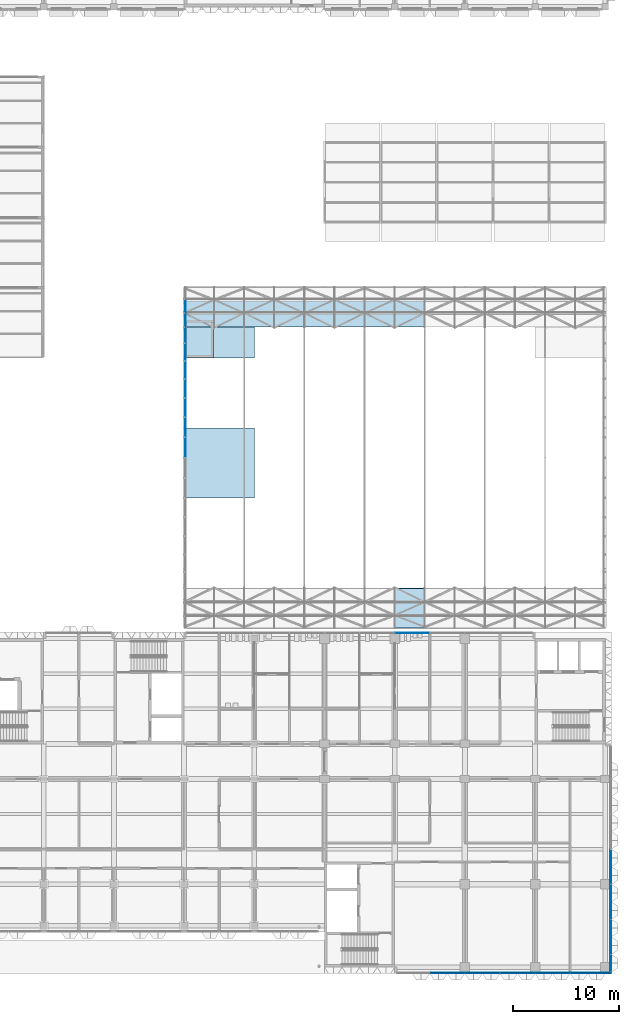
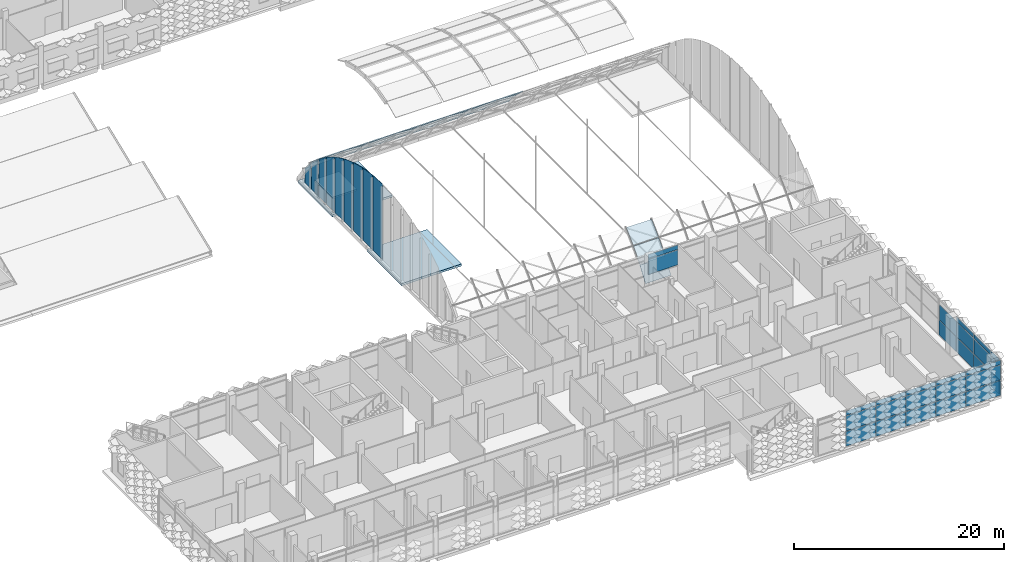
# One storey, part 44 of 109: 56 plates, 3 slabs, 3 elements without a shape of their own.
"""IFC4 building model written with IfcOpenShell, lengths in metres."""

import ifcopenshell
import ifcopenshell.guid

model = None  # the IFC model being written
_history = None  # IfcOwnerHistory: only IFC2X3 demands one
_inside = {}  # id of a spatial element -> (the spatial element, [elements in it])
_under = {}  # id of a project, library or spatial element -> (it, [spatial elements below it])
_declared = {}  # id of a project -> (the project, [libraries it declares])
_typed = {}  # id of a type object -> (the type object, [elements of that type])
_made_of = {}  # id of a material, layer set ... -> (it, [elements and type objects made of it])


def new_model(schema):
    """Start an empty IFC model of exactly this schema.

    Asked for "IFC4X3", IfcOpenShell would pick the latest addendum, in which some entities
    have other attributes; the version numbers below select the first issue.
    IFC2X3 requires an IfcOwnerHistory on every rooted entity: one is made here for all.
    """
    global model, _history
    if schema == "IFC4X3":
        model = ifcopenshell.file(schema_version=(4, 3, 0, 0))
    else:
        model = ifcopenshell.file(schema=schema)
    _inside.clear()
    _under.clear()
    _declared.clear()
    _typed.clear()
    _made_of.clear()
    _history = None
    if model.schema == "IFC2X3":
        org = make("IfcOrganization", Name="unknown")
        user = make(
            "IfcPersonAndOrganization",
            ThePerson=make("IfcPerson", FamilyName="unknown"),
            TheOrganization=org,
        )
        app = make(
            "IfcApplication",
            ApplicationDeveloper=org,
            Version="unknown",
            ApplicationFullName="unknown",
            ApplicationIdentifier="unknown",
        )
        _history = make(
            "IfcOwnerHistory",
            OwningUser=user,
            OwningApplication=app,
            ChangeAction="ADDED",
            CreationDate=0,
        )
    return model


def make(cls, **values):
    """One entity of the class cls with the attributes given. An attribute that is None is left unset."""
    return model.create_entity(
        cls, **{name: value for name, value in values.items() if value is not None}
    )


def rooted(cls, **values):
    """An entity with a GlobalId (a new one), such as an element, a storey or a relation."""
    return make(cls, GlobalId=ifcopenshell.guid.new(), OwnerHistory=_history, **values)


def si_unit(unit_type, name, prefix=None):
    """IfcSIUnit, for example si_unit("LENGTHUNIT", "METRE", prefix="MILLI")."""
    return make("IfcSIUnit", UnitType=unit_type, Prefix=prefix, Name=name)


def assignment(units):
    """IfcUnitAssignment: the units of a project."""
    return None if units is None else make("IfcUnitAssignment", Units=units)


def point(xyz):
    """IfcCartesianPoint."""
    return None if xyz is None else make("IfcCartesianPoint", Coordinates=xyz)


def direction(xyz):
    """IfcDirection."""
    return None if xyz is None else make("IfcDirection", DirectionRatios=xyz)


def frame(location, z_axis=None, x_axis=None):
    """IfcAxis2Placement3D, a coordinate frame: its origin and axes. An axis left out is left unset."""
    return make(
        "IfcAxis2Placement3D",
        Location=point(location),
        Axis=direction(z_axis),
        RefDirection=direction(x_axis),
    )


def frame_2d(location, x_axis=None):
    """IfcAxis2Placement2D, a coordinate frame in the plane: its origin and x axis."""
    return make(
        "IfcAxis2Placement2D", Location=point(location), RefDirection=direction(x_axis)
    )


def origin():
    """The frame at (0, 0, 0) with its axes left unset."""
    return frame((0.0, 0.0, 0.0))


def origin_2d():
    """The frame at (0, 0) in the plane with its x axis left unset."""
    return frame_2d((0.0, 0.0))


def place(relative_to, where):
    """IfcLocalPlacement: puts the frame where relative to a parent placement (None: the world)."""
    return make(
        "IfcLocalPlacement", PlacementRelTo=relative_to, RelativePlacement=where
    )


def context(
    kind, dimensions, precision=None, world=None, true_north=None, identifier=None
):
    """IfcGeometricRepresentationContext, for example the 3D "Model" context."""
    return make(
        "IfcGeometricRepresentationContext",
        ContextIdentifier=identifier,
        ContextType=kind,
        CoordinateSpaceDimension=dimensions,
        Precision=precision,
        WorldCoordinateSystem=world,
        TrueNorth=true_north,
    )


def subcontext(parent, identifier, kind, view, scale=None):
    """IfcGeometricRepresentationSubContext, for example "Body" below "Model"."""
    return make(
        "IfcGeometricRepresentationSubContext",
        ContextIdentifier=identifier,
        ContextType=kind,
        ParentContext=parent,
        TargetScale=scale,
        TargetView=view,
    )


def project(units=None, contexts=None):
    """IfcProject with its units and contexts."""
    return rooted(
        "IfcProject",
        Name="project",
        RepresentationContexts=contexts,
        UnitsInContext=assignment(units),
    )


def spatial(cls, under=None, at=None, **own):
    """A site, building, storey or space (cls), placed at a placement, below another one or the project."""
    s = rooted(cls, ObjectPlacement=at, **own)
    if under is not None:
        _under.setdefault(under.id(), (under, []))[1].append(s)
    return s


def polyline(points):
    """IfcPolyline through the points."""
    return make("IfcPolyline", Points=[point(p) for p in points])


def profile(cls, at=None, kind="AREA", **sizes):
    """A parametric profile (cls). Its sizes go by their IFC names, for example OverallWidth=200.0."""
    return make(cls, ProfileType=kind, Position=at, **sizes)


def rectangle(**sizes):
    """IfcRectangleProfileDef."""
    return profile("IfcRectangleProfileDef", **sizes)


def outline(outer, holes=None, kind="AREA"):
    """IfcArbitraryClosedProfileDef: a profile drawn as a closed curve; with holes, ...WithVoids."""
    if holes is None:
        return make("IfcArbitraryClosedProfileDef", ProfileType=kind, OuterCurve=outer)
    return make(
        "IfcArbitraryProfileDefWithVoids",
        ProfileType=kind,
        OuterCurve=outer,
        InnerCurves=holes,
    )


def extrude(swept, where, along, depth):
    """IfcExtrudedAreaSolid: the profile swept, set in the frame where, extruded along a direction by depth."""
    return make(
        "IfcExtrudedAreaSolid",
        SweptArea=swept,
        Position=where,
        ExtrudedDirection=direction(along),
        Depth=depth,
    )


def shape(context_of_items, identifier, shape_type, items):
    """IfcShapeRepresentation: the items that make up one representation, for example the "Body"."""
    return make(
        "IfcShapeRepresentation",
        ContextOfItems=context_of_items,
        RepresentationIdentifier=identifier,
        RepresentationType=shape_type,
        Items=items,
    )


def material(Name=None, Category=None):
    """IfcMaterial."""
    return make("IfcMaterial", Name=Name, Category=Category)


def layer(
    of_material, thickness, ventilated=None, Name=None, Category=None, Priority=None
):
    """IfcMaterialLayer: one layer of a wall or slab, of a material (None: an air gap)."""
    return make(
        "IfcMaterialLayer",
        Material=of_material,
        LayerThickness=thickness,
        IsVentilated=ventilated,
        Name=Name,
        Category=Category,
        Priority=Priority,
    )


def layer_set(layers, Name=None):
    """IfcMaterialLayerSet."""
    return make("IfcMaterialLayerSet", MaterialLayers=layers, LayerSetName=Name)


def made_of(thing, what):
    """Note that an element or type object is made of a material, layer set ...; save() writes the relation."""
    if what is not None:
        _made_of.setdefault(what.id(), (what, []))[1].append(thing)
    return thing


def type_object(cls, material=None, **own):
    """A type object (cls), such as IfcWallType, which elements share."""
    return made_of(rooted(cls, **own), material)


def element(
    cls,
    number,
    at=None,
    inside=None,
    cuts=None,
    type_object=None,
    material=None,
    context=None,
    identifier="Body",
    shape_type=None,
    held_by="IfcProductDefinitionShape",
    body=None,
    shapes=None,
    **own,
):
    """One element of the class cls, such as IfcWall. Its Tag is "e" and its number.

    at: its placement. inside: the storey or other place that contains it. cuts: it is an
    opening in that element (IfcRelVoidsElement). A single representation is given by context,
    identifier, shape_type and body (its items); several are given by shapes. held_by: the class
    of the entity that holds the representations. save() writes the other relations.
    """
    e = rooted(cls, Tag="e%d" % number, ObjectPlacement=at, **own)
    if body is not None:
        shapes = [shape(context, identifier, shape_type, body)]
    if shapes is not None:
        e.Representation = make(held_by, Representations=shapes)
    if inside is not None:
        _inside.setdefault(inside.id(), (inside, []))[1].append(e)
    if cuts is not None:
        rooted(
            "IfcRelVoidsElement", RelatingBuildingElement=cuts, RelatedOpeningElement=e
        )
    if type_object is not None:
        _typed.setdefault(type_object.id(), (type_object, []))[1].append(e)
    return made_of(e, material)


def aggregate(whole, parts):
    """IfcRelAggregates: a whole, such as a stair, and the parts it consists of."""
    return rooted("IfcRelAggregates", RelatingObject=whole, RelatedObjects=parts)


def save(model, path):
    """Write the relations noted so far, then the file.

    IfcRelAggregates (storeys below a building ...), IfcRelContainedInSpatialStructure (elements
    in a storey), IfcRelDefinesByType, IfcRelAssociatesMaterial and IfcRelDeclares: one each for
    every whole, place, type object, material and project.
    """
    for whole, parts in _under.values():
        aggregate(whole, parts)
    for where, things in _inside.values():
        rooted(
            "IfcRelContainedInSpatialStructure",
            RelatedElements=things,
            RelatingStructure=where,
        )
    for kind, things in _typed.values():
        rooted("IfcRelDefinesByType", RelatedObjects=things, RelatingType=kind)
    for what, things in _made_of.values():
        rooted("IfcRelAssociatesMaterial", RelatedObjects=things, RelatingMaterial=what)
    for by, libraries in _declared.values():
        rooted("IfcRelDeclares", RelatingContext=by, RelatedDefinitions=libraries)
    model.write(path)


model = new_model("IFC4")

# Units and contexts
model_context = context("Model", 3, precision=1e-05, world=origin(), true_north=direction((0.0, 1.0)))
body_context = subcontext(model_context, "Body", "Model", "MODEL_VIEW")
ifc_project = project(units=[si_unit("LENGTHUNIT", "METRE"), si_unit("AREAUNIT", "SQUARE_METRE"), si_unit("VOLUMEUNIT", "CUBIC_METRE"), si_unit("PLANEANGLEUNIT", "RADIAN"), si_unit("MASSUNIT", "GRAM", prefix="KILO")], contexts=[model_context])

# Site, building, storey
site_placement = place(None, origin())
site = spatial("IfcSite", under=ifc_project, at=site_placement, CompositionType="ELEMENT")
building_placement = place(site_placement, origin())
building = spatial("IfcBuilding", under=site, at=building_placement, Name="Lantern Court Research Institute", CompositionType="ELEMENT")
storey_placement = place(building_placement, frame((0.0, 0.0, 14.39990234375)))
storey = spatial("IfcBuildingStorey", under=building, at=storey_placement, Name="L03", CompositionType="ELEMENT", Elevation=14.39990234375)

# Plates
ifc_material_1 = material(Name="Laminated low-emissivity glass", Category="glass")
ifc_layer_1 = layer(ifc_material_1, 0.035888671875)
ifc_layer_set_1 = layer_set([ifc_layer_1], Name="Laminated low-emissivity glass")
plate_type_1 = type_object("IfcPlateType", Name="Gable glazing panel 36", PredefinedType="SHEET", material=ifc_layer_set_1)
plate_1_placement = place(storey_placement, frame((39.742919921875, 40.18505859375, 0.400146484375), z_axis=(0.0, 0.0, 1.0), x_axis=(0.0, 1.0, 0.0)))
element("IfcPlate", 1, at=plate_1_placement, inside=storey, type_object=plate_type_1, Name="Gable glazing panel", PredefinedType="SHEET", context=body_context, shape_type="SweptSolid", body=[
    extrude(outline(polyline([(0.0, 0.0), (1.780029296875, 0.0), (1.780029296875, 8.707275390625), (0.0, 8.796875), (0.0, 0.0)])), frame((0.0, 0.01806640625, 0.0), z_axis=(0.0, -1.0, 0.0), x_axis=(1.0, 0.0, 0.0)), (0.0, 0.0, 1.0), 0.035888671875),
])
plate_2_placement = place(storey_placement, frame((39.742919921875, 42.0849609375, 0.400146484375), z_axis=(0.0, 0.0, 1.0), x_axis=(0.0, 1.0, 0.0)))
element("IfcPlate", 2, at=plate_2_placement, inside=storey, type_object=plate_type_1, Name="Gable glazing panel", PredefinedType="SHEET", context=body_context, shape_type="SweptSolid", body=[
    extrude(outline(polyline([(0.0, 0.0), (1.7607421875, 0.0), (1.7607421875, 8.427001953125), (0.0, 8.695068359375), (0.0, 0.0)])), frame((0.0, 0.01806640625, 0.0), z_axis=(0.0, -1.0, 0.0), x_axis=(1.0, 0.0, 0.0)), (0.0, 0.0, 1.0), 0.035888671875),
])
plate_3_placement = place(storey_placement, frame((39.742919921875, 43.9658203125, 0.400146484375), z_axis=(0.0, 0.0, 1.0), x_axis=(0.0, 1.0, 0.0)))
element("IfcPlate", 3, at=plate_3_placement, inside=storey, type_object=plate_type_1, Name="Gable glazing panel", PredefinedType="SHEET", context=body_context, shape_type="SweptSolid", body=[
    extrude(outline(polyline([(0.0, 0.0), (1.722412109375, 0.0), (1.722412109375, 7.95947265625), (0.0, 8.402587890625), (0.0, 0.0)])), frame((0.0, 0.01806640625, 0.0), z_axis=(0.0, -1.0, 0.0), x_axis=(1.0, 0.0, 0.0)), (0.0, 0.0, 1.0), 0.035888671875),
])
plate_4_placement = place(storey_placement, frame((39.742919921875, 45.808349609375, 0.400146484375), z_axis=(0.0, 0.0, 1.0), x_axis=(0.0, 1.0, 0.0)))
element("IfcPlate", 4, at=plate_4_placement, inside=storey, type_object=plate_type_1, Name="Gable glazing panel", PredefinedType="SHEET", context=body_context, shape_type="SweptSolid", body=[
    extrude(outline(polyline([(0.0, 0.0), (1.66552734375, 0.0), (1.66552734375, 7.309326171875), (0.0, 7.921875), (0.0, 0.0)])), frame((0.0, 0.01806640625, 0.0), z_axis=(0.0, -1.0, 0.0), x_axis=(1.0, 0.0, 0.0)), (0.0, 0.0, 1.0), 0.035888671875),
])
plate_5_placement = place(storey_placement, frame((39.742919921875, 47.59375, 0.400146484375), z_axis=(0.0, 0.0, 1.0), x_axis=(0.0, 1.0, 0.0)))
element("IfcPlate", 5, at=plate_5_placement, inside=storey, type_object=plate_type_1, Name="Gable glazing panel", PredefinedType="SHEET", context=body_context, shape_type="SweptSolid", body=[
    extrude(outline(polyline([(0.0, 0.0), (1.590576171875, 0.0), (1.59033203125, 6.483642578125), (0.0, 7.258056640625), (0.0, 0.0)])), frame((0.0, 0.01806640625, 0.0), z_axis=(0.0, -1.0, 0.0), x_axis=(1.0, 0.0, 0.0)), (0.0, 0.0, 1.0), 0.035888671875),
])
plate_6_placement = place(storey_placement, frame((39.742919921875, 49.30419921875, 0.400146484375), z_axis=(0.0, 0.0, 1.0), x_axis=(0.0, 1.0, 0.0)))
element("IfcPlate", 6, at=plate_6_placement, inside=storey, type_object=plate_type_1, Name="Gable glazing panel", PredefinedType="SHEET", context=body_context, shape_type="SweptSolid", body=[
    extrude(outline(polyline([(0.0, 0.0), (1.498046875, 0.0), (1.498046875, 5.490966796875), (0.0, 6.417236328125), (0.0, 0.0)])), frame((0.0, 0.01806640625, 0.0), z_axis=(0.0, -1.0, 0.0), x_axis=(1.0, 0.0, 0.0)), (0.0, 0.0, 1.0), 0.035888671875),
])
plate_7_placement = place(storey_placement, frame((39.742919921875, 50.92236328125, 0.400146484375), z_axis=(0.0, 0.0, 1.0), x_axis=(0.0, 1.0, 0.0)))
element("IfcPlate", 7, at=plate_7_placement, inside=storey, type_object=plate_type_1, Name="Gable glazing panel", PredefinedType="SHEET", context=body_context, shape_type="SweptSolid", body=[
    extrude(outline(polyline([(0.0, 0.0), (1.38916015625, 0.0), (1.38916015625, 4.341552734375), (0.0, 5.40771484375), (0.0, 0.0)])), frame((0.0, 0.01806640625, 0.0), z_axis=(0.0, -1.0, 0.0), x_axis=(1.0, 0.0, 0.0)), (0.0, 0.0, 1.0), 0.035888671875),
])
plate_8_placement = place(storey_placement, frame((39.742919921875, 52.431396484375, 0.400146484375), z_axis=(0.0, 0.0, 1.0), x_axis=(0.0, 1.0, 0.0)))
element("IfcPlate", 8, at=plate_8_placement, inside=storey, type_object=plate_type_1, Name="Gable glazing panel", PredefinedType="SHEET", context=body_context, shape_type="SweptSolid", body=[
    extrude(outline(polyline([(0.0, 0.0), (1.265380859375, 0.0), (1.26513671875, 3.0478515625), (0.0, 4.239013671875), (0.0, 0.0)])), frame((0.0, 0.01806640625, 0.0), z_axis=(0.0, -1.0, 0.0), x_axis=(1.0, 0.0, 0.0)), (0.0, 0.0, 1.0), 0.035888671875),
])
plate_9_placement = place(storey_placement, frame((39.742919921875, 53.816650390625, 0.400146484375), z_axis=(0.0, 0.0, 1.0), x_axis=(0.0, 1.0, 0.0)))
element("IfcPlate", 9, at=plate_9_placement, inside=storey, type_object=plate_type_1, Name="Gable glazing panel", PredefinedType="SHEET", context=body_context, shape_type="SweptSolid", body=[
    extrude(outline(polyline([(0.0, 0.0), (1.126953125, 0.0), (1.126953125, 1.623779296875), (0.0, 2.92236328125), (0.0, 0.0)])), frame((0.0, 0.01806640625, 0.0), z_axis=(0.0, -1.0, 0.0), x_axis=(1.0, 0.0, 0.0)), (0.0, 0.0, 1.0), 0.035888671875),
])
ifc_material_2 = material(Name="Laminated low-emissivity glass", Category="glass")
ifc_layer_2 = layer(ifc_material_2, 0.052001953125)
ifc_layer_set_2 = layer_set([ifc_layer_2], Name="Laminated low-emissivity glass")
plate_type_2 = type_object("IfcPlateType", Name="Gridshell roof glazing panel 52", PredefinedType="SHEET", material=ifc_layer_set_2)
plate_10_placement = place(storey_placement, frame((42.41845703125, 52.417236328125, 4.72412109375), z_axis=(0.0, 0.685494672297, 0.728077643011), x_axis=(-1.0, 0.0, 0.0)))
element("IfcPlate", 10, at=plate_10_placement, inside=storey, type_object=plate_type_2, Name="Roof glazing panel", PredefinedType="SHEET", context=body_context, shape_type="SweptSolid", body=[
    extrude(outline(polyline([(0.0, 0.0), (2.808349609375, 0.0), (2.808349609375, -1.8747866350209508), (0.0, -1.8747866350209508), (0.0, 0.0)])), origin(), (0.0, 0.0, -1.0), 0.052001953125),
])
plate_11_placement = place(storey_placement, frame((42.41845703125, 53.805908203125, 3.414306640625), z_axis=(0.0, 0.755228474441, 0.655461632281), x_axis=(-1.0, 0.0, 0.0)))
element("IfcPlate", 11, at=plate_11_placement, inside=storey, type_object=plate_type_2, Name="Roof glazing panel", PredefinedType="SHEET", context=body_context, shape_type="SweptSolid", body=[
    extrude(outline(polyline([(0.0, 0.0), (2.808349609375, 0.0), (2.808349609375, -1.8720405906582398), (0.0, -1.8720405906582398), (0.0, 0.0)])), origin(), (0.0, 0.0, -1.0), 0.052001953125),
])
plate_12_placement = place(storey_placement, frame((45.2470703125, 52.417236328125, 4.72412109375), z_axis=(0.0, 0.685494672297, 0.728077643011), x_axis=(-1.0, 0.0, 0.0)))
element("IfcPlate", 12, at=plate_12_placement, inside=storey, type_object=plate_type_2, Name="Roof glazing panel", PredefinedType="SHEET", context=body_context, shape_type="SweptSolid", body=[
    extrude(outline(polyline([(0.0, 0.0), (2.80859375, 0.0), (2.80859375, -1.874786635020951), (0.0, -1.874786635020951), (0.0, 0.0)])), origin(), (0.0, 0.0, -1.0), 0.052001953125),
])
plate_13_placement = place(storey_placement, frame((45.2470703125, 53.805908203125, 3.414306640625), z_axis=(0.0, 0.755228474441, 0.655461632281), x_axis=(-1.0, 0.0, 0.0)))
element("IfcPlate", 13, at=plate_13_placement, inside=storey, type_object=plate_type_2, Name="Roof glazing panel", PredefinedType="SHEET", context=body_context, shape_type="SweptSolid", body=[
    extrude(outline(polyline([(0.0, 0.0), (2.80859375, 0.0), (2.80859375, -1.8720405906582398), (0.0, -1.8720405906582398), (0.0, 0.0)])), origin(), (0.0, 0.0, -1.0), 0.052001953125),
])
plate_14_placement = place(storey_placement, frame((48.07568359375, 52.417236328125, 4.72412109375), z_axis=(0.0, 0.685494672297, 0.728077643011), x_axis=(-1.0, 0.0, 0.0)))
element("IfcPlate", 14, at=plate_14_placement, inside=storey, type_object=plate_type_2, Name="Roof glazing panel", PredefinedType="SHEET", context=body_context, shape_type="SweptSolid", body=[
    extrude(outline(polyline([(0.0, 0.0), (2.80859375, 0.0), (2.80859375, -1.874786635020951), (0.0, -1.874786635020951), (0.0, 0.0)])), origin(), (0.0, 0.0, -1.0), 0.052001953125),
])
plate_15_placement = place(storey_placement, frame((48.07568359375, 53.805908203125, 3.414306640625), z_axis=(0.0, 0.755228474441, 0.655461632281), x_axis=(-1.0, 0.0, 0.0)))
element("IfcPlate", 15, at=plate_15_placement, inside=storey, type_object=plate_type_2, Name="Roof glazing panel", PredefinedType="SHEET", context=body_context, shape_type="SweptSolid", body=[
    extrude(outline(polyline([(0.0, 0.0), (2.80859375, 0.0), (2.80859375, -1.8720405906582398), (0.0, -1.8720405906582398), (0.0, 0.0)])), origin(), (0.0, 0.0, -1.0), 0.052001953125),
])
plate_16_placement = place(storey_placement, frame((50.904296875, 52.417236328125, 4.72412109375), z_axis=(0.0, 0.685494672297, 0.728077643011), x_axis=(-1.0, 0.0, 0.0)))
element("IfcPlate", 16, at=plate_16_placement, inside=storey, type_object=plate_type_2, Name="Roof glazing panel", PredefinedType="SHEET", context=body_context, shape_type="SweptSolid", body=[
    extrude(outline(polyline([(0.0, 0.0), (2.80859375, 0.0), (2.80859375, -1.874786635020951), (0.0, -1.874786635020951), (0.0, 0.0)])), origin(), (0.0, 0.0, -1.0), 0.052001953125),
])
plate_17_placement = place(storey_placement, frame((50.904296875, 53.805908203125, 3.414306640625), z_axis=(0.0, 0.755228474441, 0.655461632281), x_axis=(-1.0, 0.0, 0.0)))
element("IfcPlate", 17, at=plate_17_placement, inside=storey, type_object=plate_type_2, Name="Roof glazing panel", PredefinedType="SHEET", context=body_context, shape_type="SweptSolid", body=[
    extrude(outline(polyline([(0.0, 0.0), (2.80859375, 0.0), (2.80859375, -1.8720405906582398), (0.0, -1.8720405906582398), (0.0, 0.0)])), origin(), (0.0, 0.0, -1.0), 0.052001953125),
])
plate_18_placement = place(storey_placement, frame((53.73291015625, 52.417236328125, 4.72412109375), z_axis=(0.0, 0.685494672297, 0.728077643011), x_axis=(-1.0, 0.0, 0.0)))
element("IfcPlate", 18, at=plate_18_placement, inside=storey, type_object=plate_type_2, Name="Roof glazing panel", PredefinedType="SHEET", context=body_context, shape_type="SweptSolid", body=[
    extrude(outline(polyline([(0.0, 0.0), (2.80859375, 0.0), (2.80859375, -1.874786635020951), (0.0, -1.874786635020951), (0.0, 0.0)])), origin(), (0.0, 0.0, -1.0), 0.052001953125),
])
plate_19_placement = place(storey_placement, frame((53.73291015625, 53.805908203125, 3.414306640625), z_axis=(0.0, 0.755228474441, 0.655461632281), x_axis=(-1.0, 0.0, 0.0)))
element("IfcPlate", 19, at=plate_19_placement, inside=storey, type_object=plate_type_2, Name="Roof glazing panel", PredefinedType="SHEET", context=body_context, shape_type="SweptSolid", body=[
    extrude(outline(polyline([(0.0, 0.0), (2.80859375, 0.0), (2.80859375, -1.8720405906582398), (0.0, -1.8720405906582398), (0.0, 0.0)])), origin(), (0.0, 0.0, -1.0), 0.052001953125),
])
plate_20_placement = place(storey_placement, frame((56.5615234375, 52.417236328125, 4.72412109375), z_axis=(0.0, 0.685494672297, 0.728077643011), x_axis=(-1.0, 0.0, 0.0)))
element("IfcPlate", 20, at=plate_20_placement, inside=storey, type_object=plate_type_2, Name="Roof glazing panel", PredefinedType="SHEET", context=body_context, shape_type="SweptSolid", body=[
    extrude(outline(polyline([(0.0, 0.0), (2.80859375, 0.0), (2.80859375, -1.874786635020951), (0.0, -1.874786635020951), (0.0, 0.0)])), origin(), (0.0, 0.0, -1.0), 0.052001953125),
])
plate_21_placement = place(storey_placement, frame((56.5615234375, 53.805908203125, 3.414306640625), z_axis=(0.0, 0.755228474441, 0.655461632281), x_axis=(-1.0, 0.0, 0.0)))
element("IfcPlate", 21, at=plate_21_placement, inside=storey, type_object=plate_type_2, Name="Roof glazing panel", PredefinedType="SHEET", context=body_context, shape_type="SweptSolid", body=[
    extrude(outline(polyline([(0.0, 0.0), (2.80859375, 0.0), (2.80859375, -1.8720405906582398), (0.0, -1.8720405906582398), (0.0, 0.0)])), origin(), (0.0, 0.0, -1.0), 0.052001953125),
])
plate_22_placement = place(storey_placement, frame((59.389892578125, 52.417236328125, 4.72412109375), z_axis=(0.0, 0.685494672297, 0.728077643011), x_axis=(-1.0, 0.0, 0.0)))
element("IfcPlate", 22, at=plate_22_placement, inside=storey, type_object=plate_type_2, Name="Roof glazing panel", PredefinedType="SHEET", context=body_context, shape_type="SweptSolid", body=[
    extrude(outline(polyline([(0.0, 0.0), (2.808349609375, 0.0), (2.808349609375, -1.8747866350209508), (0.0, -1.8747866350209508), (0.0, 0.0)])), origin(), (0.0, 0.0, -1.0), 0.052001953125),
])
plate_23_placement = place(storey_placement, frame((59.389892578125, 53.805908203125, 3.414306640625), z_axis=(0.0, 0.755228474441, 0.655461632281), x_axis=(-1.0, 0.0, 0.0)))
element("IfcPlate", 23, at=plate_23_placement, inside=storey, type_object=plate_type_2, Name="Roof glazing panel", PredefinedType="SHEET", context=body_context, shape_type="SweptSolid", body=[
    extrude(outline(polyline([(0.0, 0.0), (2.808349609375, 0.0), (2.808349609375, -1.8720405906582398), (0.0, -1.8720405906582398), (0.0, 0.0)])), origin(), (0.0, 0.0, -1.0), 0.052001953125),
])
plate_24_placement = place(storey_placement, frame((62.218505859375, 24.117431640625, 0.4443359375), z_axis=(0.0, -0.817224984024, 0.576318770723), x_axis=(-1.0, 0.0, 0.0)))
element("IfcPlate", 24, at=plate_24_placement, inside=storey, type_object=plate_type_2, Name="Roof glazing panel", PredefinedType="SHEET", context=body_context, shape_type="SweptSolid", body=[
    extrude(outline(polyline([(0.0, 0.0), (2.80859375, 0.0), (2.80859375, -1.867744155330344), (0.0, -1.867744155330344), (0.0, 0.0)])), origin(), (0.0, 0.0, -1.0), 0.052001953125),
])
plate_25_placement = place(storey_placement, frame((62.218505859375, 25.217041015625, 2.00048828125), z_axis=(0.0, -0.755228474441, 0.655461632281), x_axis=(-1.0, 0.0, 0.0)))
element("IfcPlate", 25, at=plate_25_placement, inside=storey, type_object=plate_type_2, Name="Roof glazing panel", PredefinedType="SHEET", context=body_context, shape_type="SweptSolid", body=[
    extrude(outline(polyline([(0.0, 0.0), (2.80859375, 0.0), (2.80859375, -1.8720405906582398), (0.0, -1.8720405906582398), (0.0, 0.0)])), origin(), (0.0, 0.0, -1.0), 0.052001953125),
])
for number, where, z_axis, x_axis, name in (
    (26, (62.218505859375, 26.4677734375, 3.43896484375), (0.0, -0.685494672297, 0.728077643011), (-1.0, 0.0, 0.0), "Roof glazing panel"),
    (27, (62.218505859375, 52.417236328125, 4.72412109375), (0.0, 0.685494672297, 0.728077643011), (-1.0, 0.0, 0.0), "Roof glazing panel"),
):
    element("IfcPlate", number, at=place(storey_placement, frame(where, z_axis=z_axis, x_axis=x_axis)), inside=storey, type_object=plate_type_2, Name=name, PredefinedType="SHEET", context=body_context, shape_type="SweptSolid", body=[
        extrude(outline(polyline([(0.0, 0.0), (2.80859375, 0.0), (2.80859375, -1.874786635020951), (0.0, -1.874786635020951), (0.0, 0.0)])), origin(), (0.0, 0.0, -1.0), 0.052001953125),
    ])
plate_26_placement = place(storey_placement, frame((62.218505859375, 53.805908203125, 3.414306640625), z_axis=(0.0, 0.755228474441, 0.655461632281), x_axis=(-1.0, 0.0, 0.0)))
element("IfcPlate", 28, at=plate_26_placement, inside=storey, type_object=plate_type_2, Name="Roof glazing panel", PredefinedType="SHEET", context=body_context, shape_type="SweptSolid", body=[
    extrude(outline(polyline([(0.0, 0.0), (2.80859375, 0.0), (2.80859375, -1.8720405906582398), (0.0, -1.8720405906582398), (0.0, 0.0)])), origin(), (0.0, 0.0, -1.0), 0.052001953125),
])

# Curtain wall, plates
ifc_material_3 = material(Name="Aluminium alloy 6063-T6", Category="aluminium")
curtain_wall_type_1 = type_object("IfcCurtainWallType", Name="Curtain wall 20200 x 4200 x 150 aluminium frame", PredefinedType="NOTDEFINED", material=ifc_material_3)
curtain_wall_1_placement = place(storey_placement, origin())
curtain_wall_1 = element("IfcCurtainWall", 29, at=curtain_wall_1_placement, inside=storey, type_object=curtain_wall_type_1, Name="Curtain wall CW059", PredefinedType="NOTDEFINED")
ifc_material_4 = material(Name="Insulated aluminium spandrel panel", Category="aluminium")
ifc_layer_3 = layer(ifc_material_4, 0.10009765625)
ifc_layer_set_3 = layer_set([ifc_layer_3], Name="Insulated aluminium spandrel panel")
plate_type_3 = type_object("IfcPlateType", Name="Insulated spandrel panel 100 mm for south sun", PredefinedType="CURTAIN_PANEL", material=ifc_layer_set_3)
plate_27_placement = place(storey_placement, frame((64.35009765625, -8.324951171875, 0.06005859375), z_axis=(0.0, 0.0, 1.0), x_axis=(-1.0, 0.0, 0.0)))
plate_27 = element("IfcPlate", 30, at=plate_27_placement, type_object=plate_type_3, Name="CW059 spandrel panel 2.1", PredefinedType="CURTAIN_PANEL", context=body_context, shape_type="SweptSolid", body=[
    extrude(rectangle(XDim=3.239990234375, YDim=0.10009765625, at=origin_2d()), origin(), (0.0, 0.0, 1.0), 1.7099609375),
])
plate_28_placement = place(storey_placement, frame((67.64990234375, -8.324951171875, 0.06005859375), z_axis=(0.0, 0.0, 1.0), x_axis=(-1.0, 0.0, 0.0)))
plate_28 = element("IfcPlate", 31, at=plate_28_placement, type_object=plate_type_3, Name="CW059 spandrel panel 3.1", PredefinedType="CURTAIN_PANEL", context=body_context, shape_type="SweptSolid", body=[
    extrude(rectangle(XDim=3.239990234375, YDim=0.10009765625, at=origin_2d()), origin(), (0.0, 0.0, 1.0), 1.7099609375),
])
plate_29_placement = place(storey_placement, frame((70.949951171875, -8.324951171875, 0.06005859375), z_axis=(0.0, 0.0, 1.0), x_axis=(-1.0, 0.0, 0.0)))
plate_29 = element("IfcPlate", 32, at=plate_29_placement, type_object=plate_type_3, Name="CW059 spandrel panel 4.1", PredefinedType="CURTAIN_PANEL", context=body_context, shape_type="SweptSolid", body=[
    extrude(rectangle(XDim=3.239990234375, YDim=0.10009765625, at=origin_2d()), origin(), (0.0, 0.0, 1.0), 1.7099609375),
])
plate_30_placement = place(storey_placement, frame((74.25, -8.324951171875, 0.06005859375), z_axis=(0.0, 0.0, 1.0), x_axis=(-1.0, 0.0, 0.0)))
plate_30 = element("IfcPlate", 33, at=plate_30_placement, type_object=plate_type_3, Name="CW059 spandrel panel 5.1", PredefinedType="CURTAIN_PANEL", context=body_context, shape_type="SweptSolid", body=[
    extrude(rectangle(XDim=3.239990234375, YDim=0.10009765625, at=origin_2d()), origin(), (0.0, 0.0, 1.0), 1.7099609375),
])
plate_31_placement = place(storey_placement, frame((77.8349609375, -8.324951171875, 0.06005859375), z_axis=(0.0, 0.0, 1.0), x_axis=(-1.0, 0.0, 0.0)))
plate_31 = element("IfcPlate", 34, at=plate_31_placement, type_object=plate_type_3, Name="CW059 spandrel panel 6.1", PredefinedType="CURTAIN_PANEL", context=body_context, shape_type="SweptSolid", body=[
    extrude(rectangle(XDim=3.81005859375, YDim=0.10009765625, at=origin_2d()), origin(), (0.0, 0.0, 1.0), 1.7099609375),
])

ifc_material_5 = material(Name="Aluminium alloy 6063-T6", Category="aluminium")
curtain_wall_type_2 = type_object("IfcCurtainWallType", Name="Curtain wall 19600 x 4200 x 150 aluminium frame", PredefinedType="NOTDEFINED", material=ifc_material_5)
curtain_wall_2_placement = place(storey_placement, origin())
curtain_wall_2 = element("IfcCurtainWall", 35, at=curtain_wall_2_placement, inside=storey, type_object=curtain_wall_type_2, Name="Curtain wall CW058", PredefinedType="NOTDEFINED")
ifc_material_6 = material(Name="Insulated aluminium spandrel panel", Category="aluminium")
ifc_layer_4 = layer(ifc_material_6, 0.06005859375)
ifc_layer_set_4 = layer_set([ifc_layer_4], Name="Insulated aluminium spandrel panel")
plate_type_4 = type_object("IfcPlateType", Name="Insulated spandrel panel 60 mm", PredefinedType="CURTAIN_PANEL", material=ifc_layer_set_4)
plate_32_placement = place(storey_placement, frame((61.050048828125, 23.625, 1.830078125), z_axis=(0.0, 0.0, 1.0), x_axis=(1.0, 0.0, 0.0)))
plate_32 = element("IfcPlate", 36, at=plate_32_placement, type_object=plate_type_4, Name="CW058 spandrel panel 3.2", PredefinedType="CURTAIN_PANEL", context=body_context, shape_type="SweptSolid", body=[
    extrude(rectangle(XDim=3.239990234375, YDim=0.06005859375, at=origin_2d()), origin(), (0.0, 0.0, 1.0), 1.739990234375),
])
plate_33_placement = place(storey_placement, frame((61.050048828125, 23.625, 3.6298828125), z_axis=(0.0, 0.0, 1.0), x_axis=(1.0, 0.0, 0.0)))
plate_33 = element("IfcPlate", 37, at=plate_33_placement, type_object=plate_type_4, Name="CW058 spandrel panel 3.3", PredefinedType="CURTAIN_PANEL", context=body_context, shape_type="SweptSolid", body=[
    extrude(rectangle(XDim=3.239990234375, YDim=0.06005859375, at=origin_2d()), origin(), (0.0, 0.0, 1.0), 0.510009765625),
])
aggregate(curtain_wall_2, [plate_32, plate_33])

ifc_material_7 = material(Name="Aluminium alloy 6063-T6", Category="aluminium")
curtain_wall_type_3 = type_object("IfcCurtainWallType", Name="Curtain wall 21250 x 4200 x 150 aluminium frame", PredefinedType="NOTDEFINED", material=ifc_material_7)
curtain_wall_3_placement = place(storey_placement, origin())
curtain_wall_3 = element("IfcCurtainWall", 38, at=curtain_wall_3_placement, inside=storey, type_object=curtain_wall_type_3, Name="Curtain wall CW057", PredefinedType="NOTDEFINED")
ifc_material_8 = material(Name="Insulated aluminium spandrel panel", Category="aluminium")
ifc_layer_5 = layer(ifc_material_8, 0.080078125)
ifc_layer_set_5 = layer_set([ifc_layer_5], Name="Insulated aluminium spandrel panel")
plate_type_5 = type_object("IfcPlateType", Name="Insulated spandrel panel 80 mm", PredefinedType="CURTAIN_PANEL", material=ifc_layer_set_5)
plate_34_placement = place(storey_placement, frame((79.72509765625, -7.409912109375, 0.06005859375), z_axis=(0.0, 0.0, 1.0), x_axis=(0.0, -1.0, 0.0)))
plate_34 = element("IfcPlate", 39, at=plate_34_placement, type_object=plate_type_5, Name="CW057 spandrel panel 1.1", PredefinedType="CURTAIN_PANEL", context=body_context, shape_type="SweptSolid", body=[
    extrude(rectangle(XDim=1.56005859375, YDim=0.080078125, at=origin_2d()), origin(), (0.0, 0.0, 1.0), 1.7099609375),
])
plate_35_placement = place(storey_placement, frame((79.72509765625, -4.949951171875, 0.06005859375), z_axis=(0.0, 0.0, 1.0), x_axis=(0.0, -1.0, 0.0)))
plate_35 = element("IfcPlate", 40, at=plate_35_placement, type_object=plate_type_5, Name="CW057 spandrel panel 2.1", PredefinedType="CURTAIN_PANEL", context=body_context, shape_type="SweptSolid", body=[
    extrude(rectangle(XDim=3.239990234375, YDim=0.080078125, at=origin_2d()), origin(), (0.0, 0.0, 1.0), 1.7099609375),
])
plate_36_placement = place(storey_placement, frame((79.72509765625, -1.64990234375, 0.06005859375), z_axis=(0.0, 0.0, 1.0), x_axis=(0.0, -1.0, 0.0)))
plate_36 = element("IfcPlate", 41, at=plate_36_placement, type_object=plate_type_5, Name="CW057 spandrel panel 3.1", PredefinedType="CURTAIN_PANEL", context=body_context, shape_type="SweptSolid", body=[
    extrude(rectangle(XDim=3.239990234375, YDim=0.080078125, at=origin_2d()), origin(), (0.0, 0.0, 1.0), 1.7099609375),
])
plate_37_placement = place(storey_placement, frame((79.72509765625, 1.64990234375, 0.06005859375), z_axis=(0.0, 0.0, 1.0), x_axis=(0.0, -1.0, 0.0)))
plate_37 = element("IfcPlate", 42, at=plate_37_placement, type_object=plate_type_5, Name="CW057 spandrel panel 4.1", PredefinedType="CURTAIN_PANEL", context=body_context, shape_type="SweptSolid", body=[
    extrude(rectangle(XDim=3.239990234375, YDim=0.080078125, at=origin_2d()), origin(), (0.0, 0.0, 1.0), 1.7099609375),
])

# Slabs
ifc_material_9 = material(Name="Concrete C35/45", Category="concrete")
ifc_layer_6 = layer(ifc_material_9, 0.25)
ifc_layer_set_6 = layer_set([ifc_layer_6], Name="Concrete C35/45")
slab_type_1 = type_object("IfcSlabType", Name="RC core roof slab 250", PredefinedType="ROOF", material=ifc_layer_set_6)
slab_1_placement = place(storey_placement, frame((0.0, 0.0, -0.25)))
element("IfcSlab", 43, at=slab_1_placement, inside=storey, type_object=slab_type_1, Name="Roof of core HC-A", PredefinedType="ROOF", context=body_context, shape_type="SweptSolid", body=[
    extrude(outline(polyline([(39.60009765625, 49.5), (46.199951171875, 49.5), (46.199951171875, 56.10009765625), (39.60009765625, 56.10009765625), (39.60009765625, 49.5)]), holes=[polyline([(39.85009765625, 49.75), (42.14990234375, 49.75), (42.14990234375, 52.800048828125), (39.85009765625, 52.800048828125), (39.85009765625, 49.75)])]), origin(), (0.0, 0.0, 1.0), 0.25),
])
slab_2_placement = place(storey_placement, frame((0.0, 0.0, -0.25)))
element("IfcSlab", 44, at=slab_2_placement, inside=storey, type_object=slab_type_1, Name="Roof of core HC-C", PredefinedType="ROOF", context=body_context, shape_type="SweptSolid", body=[
    extrude(outline(polyline([(39.60009765625, 36.300048828125), (46.199951171875, 36.300048828125), (46.199951171875, 42.89990234375), (39.60009765625, 42.89990234375), (39.60009765625, 36.300048828125)])), origin(), (0.0, 0.0, 1.0), 0.25),
])
ifc_material_10 = material(Name="Concrete C35/45", Category="concrete")
ifc_layer_7 = layer(ifc_material_10, 0.199951171875)
ifc_layer_set_7 = layer_set([ifc_layer_7], Name="Concrete C35/45")
slab_type_2 = type_object("IfcSlabType", Name="RC lift overrun roof 200", PredefinedType="ROOF", material=ifc_layer_set_7)
slab_3_placement = place(storey_placement, frame((0.0, 0.0, 1.800048828125)))
element("IfcSlab", 45, at=slab_3_placement, inside=storey, type_object=slab_type_2, Name="Lift overrun roof of core HC-A", PredefinedType="ROOF", context=body_context, shape_type="SweptSolid", body=[
    extrude(outline(polyline([(39.64990234375, 49.550048828125), (42.35009765625, 49.550048828125), (42.35009765625, 53.0), (39.64990234375, 53.0), (39.64990234375, 49.550048828125)])), origin(), (0.0, 0.0, 1.0), 0.199951171875),
])

# Plate
ifc_material_11 = material(Name="Laminated low-emissivity glass", Category="glass")
ifc_layer_8 = layer(ifc_material_11, 0.035888671875)
ifc_layer_set_8 = layer_set([ifc_layer_8], Name="Laminated low-emissivity glass")
plate_type_6 = type_object("IfcPlateType", Name="Solar control laminated unit 36 mm", PredefinedType="CURTAIN_PANEL", material=ifc_layer_set_8)
plate_38_placement = place(storey_placement, frame((79.72509765625, -7.409912109375, 1.830078125), z_axis=(0.0, 0.0, 1.0), x_axis=(0.0, -1.0, 0.0)))
plate_38 = element("IfcPlate", 46, at=plate_38_placement, type_object=plate_type_6, Name="CW057 glazed panel 1.2", PredefinedType="CURTAIN_PANEL", context=body_context, shape_type="SweptSolid", body=[
    extrude(rectangle(XDim=1.56005859375, YDim=0.035888671875, at=origin_2d()), origin(), (0.0, 0.0, 1.0), 1.739990234375),
])

plate_39_placement = place(storey_placement, frame((79.72509765625, -7.409912109375, 3.6298828125), z_axis=(0.0, 0.0, 1.0), x_axis=(0.0, -1.0, 0.0)))
plate_39 = element("IfcPlate", 47, at=plate_39_placement, type_object=plate_type_6, Name="CW057 glazed panel 1.3", PredefinedType="CURTAIN_PANEL", context=body_context, shape_type="SweptSolid", body=[
    extrude(rectangle(XDim=1.56005859375, YDim=0.035888671875, at=origin_2d()), origin(), (0.0, 0.0, 1.0), 0.510009765625),
])

plate_40_placement = place(storey_placement, frame((79.72509765625, -4.949951171875, 1.830078125), z_axis=(0.0, 0.0, 1.0), x_axis=(0.0, -1.0, 0.0)))
plate_40 = element("IfcPlate", 48, at=plate_40_placement, type_object=plate_type_6, Name="CW057 glazed panel 2.2", PredefinedType="CURTAIN_PANEL", context=body_context, shape_type="SweptSolid", body=[
    extrude(rectangle(XDim=3.239990234375, YDim=0.035888671875, at=origin_2d()), origin(), (0.0, 0.0, 1.0), 1.739990234375),
])

plate_41_placement = place(storey_placement, frame((79.72509765625, -4.949951171875, 3.6298828125), z_axis=(0.0, 0.0, 1.0), x_axis=(0.0, -1.0, 0.0)))
plate_41 = element("IfcPlate", 49, at=plate_41_placement, type_object=plate_type_6, Name="CW057 glazed panel 2.3", PredefinedType="CURTAIN_PANEL", context=body_context, shape_type="SweptSolid", body=[
    extrude(rectangle(XDim=3.239990234375, YDim=0.035888671875, at=origin_2d()), origin(), (0.0, 0.0, 1.0), 0.510009765625),
])

plate_42_placement = place(storey_placement, frame((79.72509765625, -1.64990234375, 1.830078125), z_axis=(0.0, 0.0, 1.0), x_axis=(0.0, -1.0, 0.0)))
plate_42 = element("IfcPlate", 50, at=plate_42_placement, type_object=plate_type_6, Name="CW057 glazed panel 3.2", PredefinedType="CURTAIN_PANEL", context=body_context, shape_type="SweptSolid", body=[
    extrude(rectangle(XDim=3.239990234375, YDim=0.035888671875, at=origin_2d()), origin(), (0.0, 0.0, 1.0), 1.739990234375),
])

plate_43_placement = place(storey_placement, frame((79.72509765625, -1.64990234375, 3.6298828125), z_axis=(0.0, 0.0, 1.0), x_axis=(0.0, -1.0, 0.0)))
plate_43 = element("IfcPlate", 51, at=plate_43_placement, type_object=plate_type_6, Name="CW057 glazed panel 3.3", PredefinedType="CURTAIN_PANEL", context=body_context, shape_type="SweptSolid", body=[
    extrude(rectangle(XDim=3.239990234375, YDim=0.035888671875, at=origin_2d()), origin(), (0.0, 0.0, 1.0), 0.510009765625),
])

plate_44_placement = place(storey_placement, frame((79.72509765625, 1.64990234375, 1.830078125), z_axis=(0.0, 0.0, 1.0), x_axis=(0.0, -1.0, 0.0)))
plate_44 = element("IfcPlate", 52, at=plate_44_placement, type_object=plate_type_6, Name="CW057 glazed panel 4.2", PredefinedType="CURTAIN_PANEL", context=body_context, shape_type="SweptSolid", body=[
    extrude(rectangle(XDim=3.239990234375, YDim=0.035888671875, at=origin_2d()), origin(), (0.0, 0.0, 1.0), 1.739990234375),
])

aggregate(curtain_wall_3, [plate_34, plate_38, plate_39, plate_35, plate_40, plate_41, plate_36, plate_42, plate_43, plate_37, plate_44])

plate_45_placement = place(storey_placement, frame((64.35009765625, -8.324951171875, 1.830078125), z_axis=(0.0, 0.0, 1.0), x_axis=(-1.0, 0.0, 0.0)))
plate_45 = element("IfcPlate", 53, at=plate_45_placement, type_object=plate_type_6, Name="CW059 glazed panel 2.2", PredefinedType="CURTAIN_PANEL", context=body_context, shape_type="SweptSolid", body=[
    extrude(rectangle(XDim=3.239990234375, YDim=0.035888671875, at=origin_2d()), origin(), (0.0, 0.0, 1.0), 1.739990234375),
])

plate_46_placement = place(storey_placement, frame((64.35009765625, -8.324951171875, 3.6298828125), z_axis=(0.0, 0.0, 1.0), x_axis=(-1.0, 0.0, 0.0)))
plate_46 = element("IfcPlate", 54, at=plate_46_placement, type_object=plate_type_6, Name="CW059 glazed panel 2.3", PredefinedType="CURTAIN_PANEL", context=body_context, shape_type="SweptSolid", body=[
    extrude(rectangle(XDim=3.239990234375, YDim=0.035888671875, at=origin_2d()), origin(), (0.0, 0.0, 1.0), 0.510009765625),
])

plate_47_placement = place(storey_placement, frame((67.64990234375, -8.324951171875, 1.830078125), z_axis=(0.0, 0.0, 1.0), x_axis=(-1.0, 0.0, 0.0)))
plate_47 = element("IfcPlate", 55, at=plate_47_placement, type_object=plate_type_6, Name="CW059 glazed panel 3.2", PredefinedType="CURTAIN_PANEL", context=body_context, shape_type="SweptSolid", body=[
    extrude(rectangle(XDim=3.239990234375, YDim=0.035888671875, at=origin_2d()), origin(), (0.0, 0.0, 1.0), 1.739990234375),
])

plate_48_placement = place(storey_placement, frame((67.64990234375, -8.324951171875, 3.6298828125), z_axis=(0.0, 0.0, 1.0), x_axis=(-1.0, 0.0, 0.0)))
plate_48 = element("IfcPlate", 56, at=plate_48_placement, type_object=plate_type_6, Name="CW059 glazed panel 3.3", PredefinedType="CURTAIN_PANEL", context=body_context, shape_type="SweptSolid", body=[
    extrude(rectangle(XDim=3.239990234375, YDim=0.035888671875, at=origin_2d()), origin(), (0.0, 0.0, 1.0), 0.510009765625),
])

plate_49_placement = place(storey_placement, frame((70.949951171875, -8.324951171875, 1.830078125), z_axis=(0.0, 0.0, 1.0), x_axis=(-1.0, 0.0, 0.0)))
plate_49 = element("IfcPlate", 57, at=plate_49_placement, type_object=plate_type_6, Name="CW059 glazed panel 4.2", PredefinedType="CURTAIN_PANEL", context=body_context, shape_type="SweptSolid", body=[
    extrude(rectangle(XDim=3.239990234375, YDim=0.035888671875, at=origin_2d()), origin(), (0.0, 0.0, 1.0), 1.739990234375),
])

plate_50_placement = place(storey_placement, frame((70.949951171875, -8.324951171875, 3.6298828125), z_axis=(0.0, 0.0, 1.0), x_axis=(-1.0, 0.0, 0.0)))
plate_50 = element("IfcPlate", 58, at=plate_50_placement, type_object=plate_type_6, Name="CW059 glazed panel 4.3", PredefinedType="CURTAIN_PANEL", context=body_context, shape_type="SweptSolid", body=[
    extrude(rectangle(XDim=3.239990234375, YDim=0.035888671875, at=origin_2d()), origin(), (0.0, 0.0, 1.0), 0.510009765625),
])

plate_51_placement = place(storey_placement, frame((74.25, -8.324951171875, 1.830078125), z_axis=(0.0, 0.0, 1.0), x_axis=(-1.0, 0.0, 0.0)))
plate_51 = element("IfcPlate", 59, at=plate_51_placement, type_object=plate_type_6, Name="CW059 glazed panel 5.2", PredefinedType="CURTAIN_PANEL", context=body_context, shape_type="SweptSolid", body=[
    extrude(rectangle(XDim=3.239990234375, YDim=0.035888671875, at=origin_2d()), origin(), (0.0, 0.0, 1.0), 1.739990234375),
])

plate_52_placement = place(storey_placement, frame((74.25, -8.324951171875, 3.6298828125), z_axis=(0.0, 0.0, 1.0), x_axis=(-1.0, 0.0, 0.0)))
plate_52 = element("IfcPlate", 60, at=plate_52_placement, type_object=plate_type_6, Name="CW059 glazed panel 5.3", PredefinedType="CURTAIN_PANEL", context=body_context, shape_type="SweptSolid", body=[
    extrude(rectangle(XDim=3.239990234375, YDim=0.035888671875, at=origin_2d()), origin(), (0.0, 0.0, 1.0), 0.510009765625),
])

plate_53_placement = place(storey_placement, frame((77.8349609375, -8.324951171875, 1.830078125), z_axis=(0.0, 0.0, 1.0), x_axis=(-1.0, 0.0, 0.0)))
plate_53 = element("IfcPlate", 61, at=plate_53_placement, type_object=plate_type_6, Name="CW059 glazed panel 6.2", PredefinedType="CURTAIN_PANEL", context=body_context, shape_type="SweptSolid", body=[
    extrude(rectangle(XDim=3.81005859375, YDim=0.035888671875, at=origin_2d()), origin(), (0.0, 0.0, 1.0), 1.739990234375),
])

plate_54_placement = place(storey_placement, frame((77.8349609375, -8.324951171875, 3.6298828125), z_axis=(0.0, 0.0, 1.0), x_axis=(-1.0, 0.0, 0.0)))
plate_54 = element("IfcPlate", 62, at=plate_54_placement, type_object=plate_type_6, Name="CW059 glazed panel 6.3", PredefinedType="CURTAIN_PANEL", context=body_context, shape_type="SweptSolid", body=[
    extrude(rectangle(XDim=3.81005859375, YDim=0.035888671875, at=origin_2d()), origin(), (0.0, 0.0, 1.0), 0.510009765625),
])

aggregate(curtain_wall_1, [plate_27, plate_45, plate_46, plate_28, plate_47, plate_48, plate_29, plate_49, plate_50, plate_30, plate_51, plate_52, plate_31, plate_53, plate_54])

save(model, "model.ifc")
